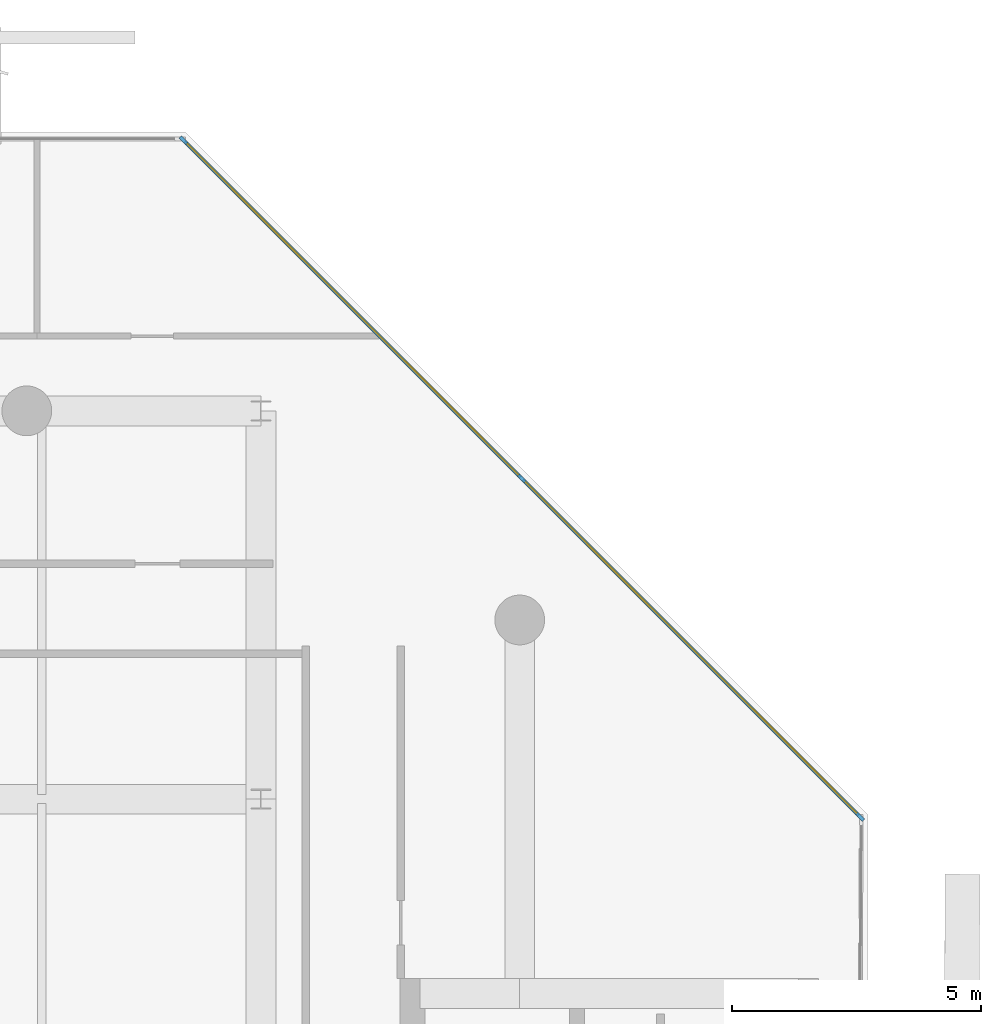
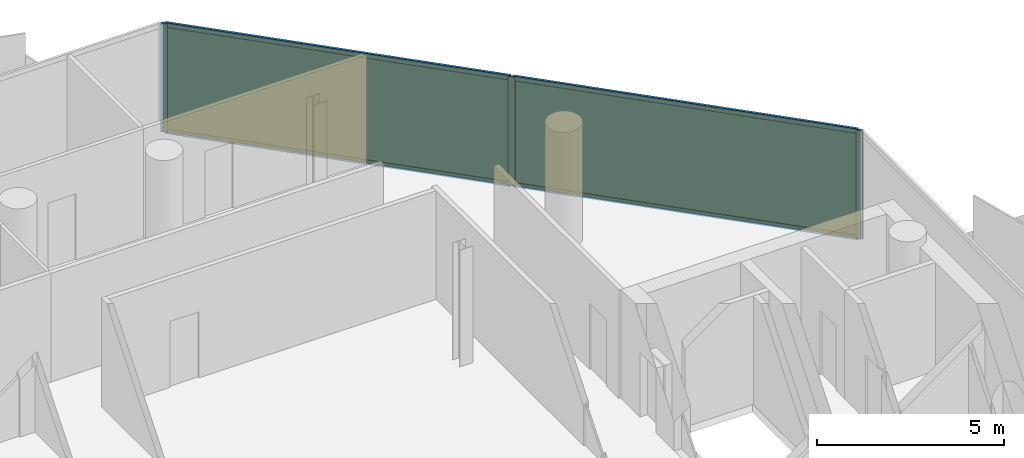
# One storey, part 13 of 16: 7 members, 2 plates, 1 curtain wall.
"""IFC4 building model written with IfcOpenShell, lengths in metres."""

from ifc_helpers import new_model, si_unit, direction, frame, frame_2d, origin, origin_2d, place, context, subcontext, project, spatial, rectangle, extrude, material, layer, layer_set, material_profile, profile_set, type_object, element, aggregate, save


model = new_model("IFC4")

# Units and contexts
model_context = context("Model", 3, precision=1e-05, world=origin(), true_north=direction((0.0, 1.0)))
body_context = subcontext(model_context, "Body", "Model", "MODEL_VIEW")
ifc_project = project(units=[si_unit("LENGTHUNIT", "METRE"), si_unit("AREAUNIT", "SQUARE_METRE"), si_unit("VOLUMEUNIT", "CUBIC_METRE"), si_unit("PLANEANGLEUNIT", "RADIAN"), si_unit("MASSUNIT", "GRAM", prefix="KILO")], contexts=[model_context])

# Member
ifc_material_1 = material(Name="Anodised Bronze Aluminium 6063-T6", Category="aluminium")
ifc_material_profile_1 = material_profile(ifc_material_1, rectangle(XDim=0.070068359375, YDim=0.18994140625, at=origin_2d()))
ifc_profile_set_1 = profile_set([ifc_material_profile_1], Name="Anodised Bronze Aluminium 6063-T6")
member_type_1 = type_object("IfcMemberType", Name="CW-SLC Mullion 70x190", PredefinedType="MULLION", material=ifc_profile_set_1)
site_placement = place(None, origin())
building_placement = place(site_placement, origin())
storey_placement = place(building_placement, frame((0.0, 0.0, 300.39990234375)))
member_1_placement = place(storey_placement, frame((7.646728515625, 24.03515625, 0.0), z_axis=(0.0, 0.0, 1.0), x_axis=(0.707106781187, 0.707106781187, 0.0)))
member_1 = element("IfcMember", 1, at=member_1_placement, type_object=member_type_1, Name="CW-SLC mullion 1", PredefinedType="MULLION", context=body_context, shape_type="SweptSolid", body=[
    extrude(rectangle(XDim=0.070068359375, YDim=0.18994140625, at=origin_2d()), origin(), (0.0, 0.0, 1.0), 3.5400390625),
])

member_2_placement = place(storey_placement, frame((14.44091796875, 17.240966796875, 0.0), z_axis=(0.0, 0.0, 1.0), x_axis=(0.707106781187, 0.707106781187, 0.0)))
member_2 = element("IfcMember", 2, at=member_2_placement, type_object=member_type_1, Name="CW-SLC mullion 2", PredefinedType="MULLION", context=body_context, shape_type="SweptSolid", body=[
    extrude(rectangle(XDim=0.070068359375, YDim=0.18994140625, at=origin_2d()), origin(), (0.0, 0.0, 1.0), 3.5400390625),
])

member_3_placement = place(storey_placement, frame((21.2353515625, 10.44677734375, 0.0), z_axis=(0.0, 0.0, 1.0), x_axis=(0.707106781187, 0.707106781187, 0.0)))
member_3 = element("IfcMember", 3, at=member_3_placement, type_object=member_type_1, Name="CW-SLC mullion 3", PredefinedType="MULLION", context=body_context, shape_type="SweptSolid", body=[
    extrude(rectangle(XDim=0.070068359375, YDim=0.18994140625, at=origin_2d()), origin(), (0.0, 0.0, 1.0), 3.5400390625),
])

ifc_material_2 = material(Name="Anodised Bronze Aluminium 6063-T6", Category="aluminium")
ifc_material_profile_2 = material_profile(ifc_material_2, rectangle(XDim=0.070068359375, YDim=0.14990234375, at=origin_2d()))
ifc_profile_set_2 = profile_set([ifc_material_profile_2], Name="Anodised Bronze Aluminium 6063-T6")
member_type_2 = type_object("IfcMemberType", Name="CW-SLC Transom 70x150", PredefinedType="USERDEFINED", material=ifc_profile_set_2)
member_4_placement = place(storey_placement, frame((7.67138671875, 24.010498046875, 0.03515625), z_axis=(0.707119578689, -0.707093983453, 0.0), x_axis=(0.707093983453, 0.707119578689, 0.0)))
member_4 = element("IfcMember", 4, at=member_4_placement, type_object=member_type_2, Name="CW-SLC transom 1.1", ObjectType="TRANSOM", PredefinedType="USERDEFINED", context=body_context, shape_type="SweptSolid", body=[
    extrude(rectangle(XDim=0.070068359375, YDim=0.14990234375, at=origin_2d()), origin(), (0.0, 0.0, 1.0), 9.53857421875),
])

member_5_placement = place(storey_placement, frame((7.67138671875, 24.010498046875, 3.505126953125), z_axis=(0.707119578689, -0.707093983453, 0.0), x_axis=(0.707093983453, 0.707119578689, 0.0)))
member_5 = element("IfcMember", 5, at=member_5_placement, type_object=member_type_2, Name="CW-SLC transom 1.2", ObjectType="TRANSOM", PredefinedType="USERDEFINED", context=body_context, shape_type="SweptSolid", body=[
    extrude(rectangle(XDim=0.070068359375, YDim=0.14990234375, at=origin_2d()), origin(), (0.0, 0.0, 1.0), 9.53857421875),
])

member_6_placement = place(storey_placement, frame((14.4658203125, 17.21630859375, 0.03515625), z_axis=(0.707093983453, -0.707119578689, 0.0), x_axis=(0.707119578689, 0.707093983453, 0.0)))
member_6 = element("IfcMember", 6, at=member_6_placement, type_object=member_type_2, Name="CW-SLC transom 2.1", ObjectType="TRANSOM", PredefinedType="USERDEFINED", context=body_context, shape_type="SweptSolid", body=[
    extrude(rectangle(XDim=0.070068359375, YDim=0.14990234375, at=origin_2d()), origin(), (0.0, 0.0, 1.0), 9.53857421875),
])

member_7_placement = place(storey_placement, frame((14.4658203125, 17.21630859375, 3.505126953125), z_axis=(0.707093983453, -0.707119578689, 0.0), x_axis=(0.707119578689, 0.707093983453, 0.0)))
member_7 = element("IfcMember", 7, at=member_7_placement, type_object=member_type_2, Name="CW-SLC transom 2.2", ObjectType="TRANSOM", PredefinedType="USERDEFINED", context=body_context, shape_type="SweptSolid", body=[
    extrude(rectangle(XDim=0.070068359375, YDim=0.14990234375, at=origin_2d()), origin(), (0.0, 0.0, 1.0), 9.53857421875),
])

# Plate
ifc_material_3 = material(Name="Low-E Solar Control Laminated Glass", Category="glass")
ifc_layer_1 = layer(ifc_material_3, 0.033935546875, Name="Low-E Solar Control Laminated Glass")
ifc_layer_set_1 = layer_set([ifc_layer_1], Name="Low-E Solar Control Laminated Glass")
plate_type = type_object("IfcPlateType", Name="CW-SLC Low-E Double Glazed Panel 34mm", PredefinedType="CURTAIN_PANEL", material=ifc_layer_set_1)
plate_1_placement = place(storey_placement, frame((11.0439453125, 20.63818359375, 0.070068359375), z_axis=(0.0, 0.0, 1.0), x_axis=(0.707106781187, -0.707106781187, 0.0)))
plate_1 = element("IfcPlate", 8, at=plate_1_placement, type_object=plate_type, Name="CW-SLC panel 1.1", PredefinedType="CURTAIN_PANEL", context=body_context, shape_type="SweptSolid", body=[
    extrude(rectangle(XDim=9.53857421875, YDim=0.033935546875, at=origin_2d()), origin(), (0.0, 0.0, 1.0), 3.39990234375),
])

plate_2_placement = place(storey_placement, frame((17.838134765625, 13.843994140625, 0.070068359375), z_axis=(0.0, 0.0, 1.0), x_axis=(0.707106781187, -0.707106781187, 0.0)))
plate_2 = element("IfcPlate", 9, at=plate_2_placement, type_object=plate_type, Name="CW-SLC panel 2.1", PredefinedType="CURTAIN_PANEL", context=body_context, shape_type="SweptSolid", body=[
    extrude(rectangle(XDim=9.53857421875, YDim=0.033935546875, at=origin_2d()), origin(), (0.0, 0.0, 1.0), 3.39990234375),
])

# Site, building, storey
site = spatial("IfcSite", under=ifc_project, at=site_placement, CompositionType="ELEMENT")
building = spatial("IfcBuilding", under=site, at=building_placement, Name="Khairoan Windgate Tower", CompositionType="ELEMENT")
storey = spatial("IfcBuildingStorey", under=building, at=storey_placement, Name="L72", CompositionType="ELEMENT", Elevation=300.39990234375)

# Curtain wall
ifc_material_4 = material(Name="Anodised Bronze Aluminium 6063-T6", Category="aluminium")
ifc_layer_2 = layer(ifc_material_4, 0.18994140625, Name="Anodised Bronze Aluminium 6063-T6")
ifc_layer_set_2 = layer_set([ifc_layer_2], Name="Anodised Bronze Aluminium 6063-T6")
curtain_wall_type = type_object("IfcCurtainWallType", Name="Diagonal Corner-Slice Facet Curtain Wall CW-SLC", PredefinedType="NOTDEFINED", material=ifc_layer_set_2)
curtain_wall_placement = place(storey_placement, frame((7.6220703125, 24.06005859375, 0.0), z_axis=(0.0, 0.0, 1.0), x_axis=(0.707106781187, -0.707106781187, 0.0)))
curtain_wall = element("IfcCurtainWall", 10, at=curtain_wall_placement, inside=storey, type_object=curtain_wall_type, Name="L72 Crystal Slice Curtain Wall 8", PredefinedType="NOTDEFINED", context=body_context, shape_type="SweptSolid", body=[
    extrude(rectangle(XDim=19.286865234375, YDim=0.010009765625, at=frame_2d((9.6435546875, 0.0))), origin(), (0.0, 0.0, 1.0), 3.5400390625),
])

aggregate(curtain_wall, [member_1, member_2, member_3, member_4, member_5, plate_1, member_6, member_7, plate_2])

save(model, "model.ifc")
